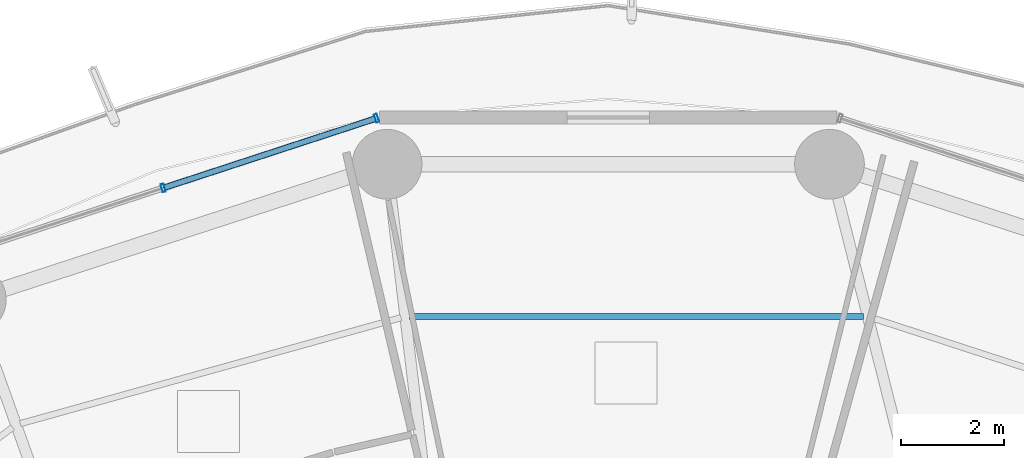
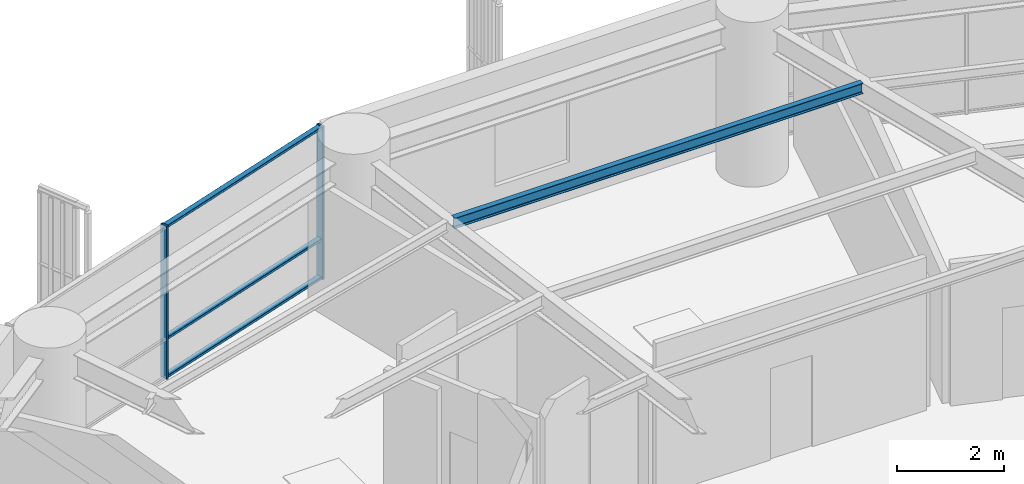
# One storey, part 21 of 36: 5 members, 1 beam, 1 element without a shape of its own.
"""IFC4 building model written with IfcOpenShell, lengths in metres."""

from ifc_helpers import new_model, si_unit, direction, frame, origin, origin_2d, place, context, subcontext, project, spatial, hollow_rectangle, i_section, extrude, material, layer, layer_set, material_profile, profile_set, type_object, element, aggregate, save


model = new_model("IFC4")

# Units and contexts
model_context = context("Model", 3, precision=1e-05, world=origin(), true_north=direction((0.0, 1.0)))
body_context = subcontext(model_context, "Body", "Model", "MODEL_VIEW")
ifc_project = project(units=[si_unit("LENGTHUNIT", "METRE"), si_unit("AREAUNIT", "SQUARE_METRE"), si_unit("VOLUMEUNIT", "CUBIC_METRE"), si_unit("PLANEANGLEUNIT", "RADIAN"), si_unit("MASSUNIT", "GRAM", prefix="KILO")], contexts=[model_context])

# Site, building, storey
site_placement = place(None, origin())
site = spatial("IfcSite", under=ifc_project, at=site_placement, CompositionType="ELEMENT")
building_placement = place(site_placement, origin())
building = spatial("IfcBuilding", under=site, at=building_placement, Name="Kelanora Arch Commons", CompositionType="ELEMENT")
storey_placement = place(building_placement, frame((0.0, 0.0, 98.85009765625)))
storey = spatial("IfcBuildingStorey", under=building, at=storey_placement, Name="L25", CompositionType="ELEMENT", Elevation=98.85009765625)

# Beam
ifc_material_1 = material(Name="Steel S355", Category="steel")
ifc_material_profile_1 = material_profile(ifc_material_1, i_section(OverallWidth=0.1201171875, OverallDepth=0.239990234375, WebThickness=0.006103515625, FlangeThickness=0.009765625, FilletRadius=0.014892578125, at=origin_2d()), Name="IPE240")
ifc_profile_set_1 = profile_set([ifc_material_profile_1], Name="Steel S355")
beam_type = type_object("IfcBeamType", Name="BM-JST-02", PredefinedType="JOIST", material=ifc_profile_set_1)
beam_placement = place(storey_placement, frame((78.943603515625, 76.795654296875, 3.369873046875), z_axis=(-1.0, 0.0, 0.0), x_axis=(0.0, -1.0, 0.0)))
element("IfcBeam", 1, at=beam_placement, inside=storey, type_object=beam_type, Name="Secondary Chord Joist BJC-08 L25", PredefinedType="JOIST", context=body_context, shape_type="SweptSolid", body=[
    extrude(i_section(OverallWidth=0.1201171875, OverallDepth=0.239990234375, WebThickness=0.006103515625, FlangeThickness=0.009765625, FilletRadius=0.014892578125, at=origin_2d()), origin(), (0.0, 0.0, 1.0), 8.791015625),
])

# Curtain wall, members
ifc_material_2 = material(Name="Terracotta ceramic-fritted low-E glass and aluminium", Category="masonry")
ifc_layer = layer(ifc_material_2, 0.159912109375)
ifc_layer_set = layer_set([ifc_layer], Name="Terracotta ceramic-fritted low-E glass and aluminium")
curtain_wall_type = type_object("IfcCurtainWallType", Name="CW-SYS-01", PredefinedType="NOTDEFINED", material=ifc_layer_set)
curtain_wall_placement = place(storey_placement, origin())
curtain_wall = element("IfcCurtainWall", 2, at=curtain_wall_placement, inside=storey, type_object=curtain_wall_type, Name="Unitised Curtain Wall L25-B05", PredefinedType="NOTDEFINED")
ifc_material_3 = material(Name="Powder-coated aluminium terracotta", Category="masonry")
ifc_material_profile_2 = material_profile(ifc_material_3, hollow_rectangle(XDim=0.159912109375, YDim=0.06005859375, WallThickness=0.0048828125, InnerFilletRadius=0.0048828125, OuterFilletRadius=0.010009765625, at=origin_2d()), Name="CWM160x60")
ifc_profile_set_2 = profile_set([ifc_material_profile_2], Name="Powder-coated aluminium terracotta")
member_type_1 = type_object("IfcMemberType", Name="CWM-STD", PredefinedType="MULLION", material=ifc_profile_set_2)
member_1_placement = place(storey_placement, frame((69.51171875, 80.636474609375, 0.0), z_axis=(0.0, 0.0, 1.0), x_axis=(0.31080470294, -0.950473795867, 0.0)))
member_1 = element("IfcMember", 3, at=member_1_placement, type_object=member_type_1, Name="CW-01 mullion 1", PredefinedType="MULLION", context=body_context, shape_type="SweptSolid", body=[
    extrude(hollow_rectangle(XDim=0.159912109375, YDim=0.06005859375, WallThickness=0.0048828125, InnerFilletRadius=0.0048828125, OuterFilletRadius=0.010009765625, at=origin_2d()), origin(), (0.0, 0.0, 1.0), 3.474853515625),
])
member_2_placement = place(storey_placement, frame((65.377197265625, 79.28466796875, 0.0), z_axis=(0.0, 0.0, 1.0), x_axis=(0.31080470294, -0.950473795867, 0.0)))
member_2 = element("IfcMember", 4, at=member_2_placement, type_object=member_type_1, Name="CW-01 mullion 2", PredefinedType="MULLION", context=body_context, shape_type="SweptSolid", body=[
    extrude(hollow_rectangle(XDim=0.159912109375, YDim=0.06005859375, WallThickness=0.0048828125, InnerFilletRadius=0.0048828125, OuterFilletRadius=0.010009765625, at=origin_2d()), origin(), (0.0, 0.0, 1.0), 3.474853515625),
])
ifc_material_profile_3 = material_profile(ifc_material_3, hollow_rectangle(XDim=0.1201171875, YDim=0.06005859375, WallThickness=0.0048828125, InnerFilletRadius=0.0048828125, OuterFilletRadius=0.010009765625, at=origin_2d()), Name="CWT120x60")
ifc_profile_set_3 = profile_set([ifc_material_profile_3], Name="Powder-coated aluminium terracotta")
member_type_2 = type_object("IfcMemberType", Name="CWT-STD", PredefinedType="USERDEFINED", material=ifc_profile_set_3)
member_3_placement = place(storey_placement, frame((69.483154296875, 80.627197265625, 0.02978515625), z_axis=(-0.950477544745, -0.31079323824, 0.0), x_axis=(0.31079323824, -0.950477544745, 0.0)))
member_3 = element("IfcMember", 5, at=member_3_placement, type_object=member_type_2, Name="CW-01 transom 1.1", ObjectType="TRANSOM", PredefinedType="USERDEFINED", context=body_context, shape_type="SweptSolid", body=[
    extrude(hollow_rectangle(XDim=0.1201171875, YDim=0.06005859375, WallThickness=0.0048828125, InnerFilletRadius=0.0048828125, OuterFilletRadius=0.010009765625, at=origin_2d()), origin(), (0.0, 0.0, 1.0), 4.289794921875),
])
member_4_placement = place(storey_placement, frame((69.483154296875, 80.627197265625, 0.89990234375), z_axis=(-0.950477544745, -0.31079323824, 0.0), x_axis=(0.31079323824, -0.950477544745, 0.0)))
member_4 = element("IfcMember", 6, at=member_4_placement, type_object=member_type_2, Name="CW-01 transom 1.2", ObjectType="TRANSOM", PredefinedType="USERDEFINED", context=body_context, shape_type="SweptSolid", body=[
    extrude(hollow_rectangle(XDim=0.1201171875, YDim=0.06005859375, WallThickness=0.0048828125, InnerFilletRadius=0.0048828125, OuterFilletRadius=0.010009765625, at=origin_2d()), origin(), (0.0, 0.0, 1.0), 4.289794921875),
])
member_5_placement = place(storey_placement, frame((69.483154296875, 80.627197265625, 3.44482421875), z_axis=(-0.950477544745, -0.31079323824, 0.0), x_axis=(0.31079323824, -0.950477544745, 0.0)))
member_5 = element("IfcMember", 7, at=member_5_placement, type_object=member_type_2, Name="CW-01 transom 1.3", ObjectType="TRANSOM", PredefinedType="USERDEFINED", context=body_context, shape_type="SweptSolid", body=[
    extrude(hollow_rectangle(XDim=0.1201171875, YDim=0.06005859375, WallThickness=0.0048828125, InnerFilletRadius=0.0048828125, OuterFilletRadius=0.010009765625, at=origin_2d()), origin(), (0.0, 0.0, 1.0), 4.289794921875),
])
aggregate(curtain_wall, [member_1, member_2, member_3, member_4, member_5])

save(model, "model.ifc")
